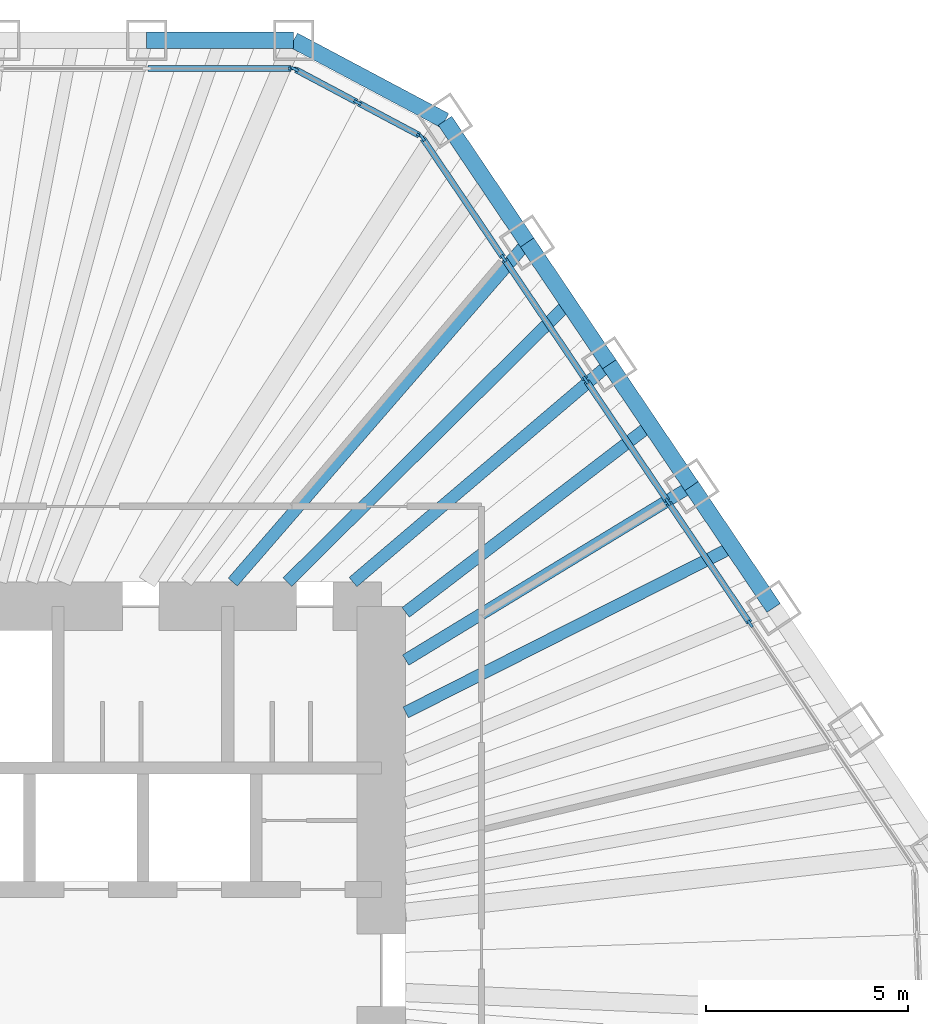
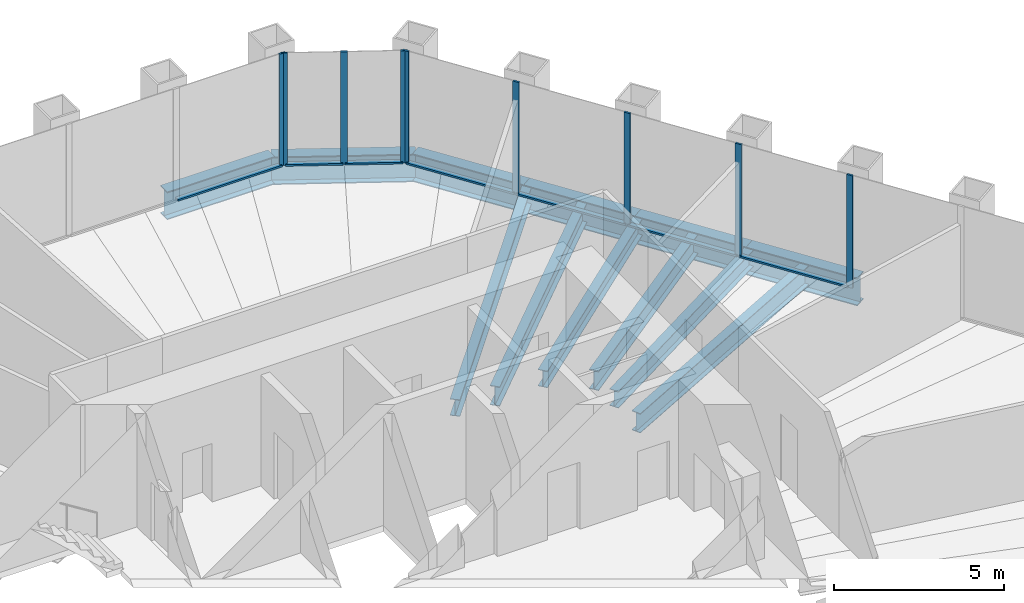
# One storey, part 7 of 14: 16 members, 12 beams, 3 elements without a shape of their own.
"""IFC4 building model written with IfcOpenShell, lengths in metres."""

from ifc_helpers import new_model, si_unit, direction, frame, origin, origin_2d, place, context, subcontext, project, spatial, rectangle, i_section, extrude, material, material_profile, profile_set, type_object, element, aggregate, save


model = new_model("IFC4")

# Units and contexts
model_context = context("Model", 3, precision=1e-05, world=origin(), true_north=direction((0.0, 1.0)))
body_context = subcontext(model_context, "Body", "Model", "MODEL_VIEW")
ifc_project = project(units=[si_unit("LENGTHUNIT", "METRE"), si_unit("AREAUNIT", "SQUARE_METRE"), si_unit("VOLUMEUNIT", "CUBIC_METRE"), si_unit("PLANEANGLEUNIT", "RADIAN"), si_unit("MASSUNIT", "GRAM", prefix="KILO")], contexts=[model_context])

# Site, building, storey
site_placement = place(None, origin())
site = spatial("IfcSite", under=ifc_project, at=site_placement, CompositionType="ELEMENT")
building_placement = place(site_placement, origin())
building = spatial("IfcBuilding", under=site, at=building_placement, Name="Qingtian Harvest Tower", CompositionType="ELEMENT")
storey_placement = place(building_placement, frame((0.0, 0.0, 239.199951171875)))
storey = spatial("IfcBuildingStorey", under=building, at=storey_placement, Name="L52", CompositionType="ELEMENT", Elevation=239.199951171875)

# Beams
ifc_material_1 = material(Name="Steel SN490B", Category="steel")
ifc_material_profile_1 = material_profile(ifc_material_1, i_section(OverallWidth=0.300048828125, OverallDepth=0.60009765625, WebThickness=0.011962890625, FlangeThickness=0.02001953125, at=origin_2d()), Name="H600x300x12x20")
ifc_profile_set_1 = profile_set([ifc_material_profile_1], Name="Steel SN490B")
beam_type_1 = type_object("IfcBeamType", Name="Floor beam FB3 H600x300x12x20", PredefinedType="BEAM", material=ifc_profile_set_1)
beam_1_placement = place(storey_placement, frame((15.603271484375, 17.998046875, -0.469970703125), z_axis=(-0.655048444444, -0.755586881458, 0.0), x_axis=(0.755586881458, -0.655048444444, 0.0)))
element("IfcBeam", 1, at=beam_1_placement, inside=storey, type_object=beam_type_1, Name="Floor beam FB3 NE1", PredefinedType="BEAM", context=body_context, shape_type="SweptSolid", body=[
    extrude(i_section(OverallWidth=0.300048828125, OverallDepth=0.60009765625, WebThickness=0.011962890625, FlangeThickness=0.02001953125, at=origin_2d()), origin(), (0.0, 0.0, 1.0), 11.114501953125),
])
beam_2_placement = place(storey_placement, frame((17.635009765625, 14.985595703125, -0.469970703125), z_axis=(-0.762028398305, -0.647543604846, 0.0), x_axis=(0.647543604846, -0.762028398305, 0.0)))
element("IfcBeam", 2, at=beam_2_placement, inside=storey, type_object=beam_type_1, Name="Floor beam FB3 NE2", PredefinedType="BEAM", context=body_context, shape_type="SweptSolid", body=[
    extrude(i_section(OverallWidth=0.300048828125, OverallDepth=0.60009765625, WebThickness=0.011962890625, FlangeThickness=0.02001953125, at=origin_2d()), origin(), (0.0, 0.0, 1.0), 8.31689453125),
])
beam_3_placement = place(storey_placement, frame((19.6669921875, 11.97314453125, -0.469970703125), z_axis=(-0.854163224424, -0.520004986554, 0.0), x_axis=(0.520004986554, -0.854163224424, 0.0)))
element("IfcBeam", 3, at=beam_3_placement, inside=storey, type_object=beam_type_1, Name="Floor beam FB3 NE3", PredefinedType="BEAM", context=body_context, shape_type="SweptSolid", body=[
    extrude(i_section(OverallWidth=0.300048828125, OverallDepth=0.60009765625, WebThickness=0.011962890625, FlangeThickness=0.02001953125, at=origin_2d()), origin(), (0.0, 0.0, 1.0), 8.2734375),
])
ifc_material_2 = material(Name="Steel SN490B", Category="steel")
ifc_material_profile_2 = material_profile(ifc_material_2, i_section(OverallWidth=0.300048828125, OverallDepth=0.699951171875, WebThickness=0.012939453125, FlangeThickness=0.02392578125, at=origin_2d()), Name="H700x300x13x24")
ifc_profile_set_2 = profile_set([ifc_material_profile_2], Name="Steel SN490B")
beam_type_2 = type_object("IfcBeamType", Name="Floor joist J2 H700x300x13x24", PredefinedType="JOIST", material=ifc_profile_set_2)
beam_4_placement = place(storey_placement, frame((16.619140625, 16.49169921875, -0.52001953125), z_axis=(-0.709833839663, -0.704369164622, 0.0), x_axis=(0.704369164622, -0.709833839663, 0.0)))
element("IfcBeam", 4, at=beam_4_placement, inside=storey, type_object=beam_type_2, Name="Floor joist J2 NE1", PredefinedType="JOIST", context=body_context, shape_type="SweptSolid", body=[
    extrude(i_section(OverallWidth=0.300048828125, OverallDepth=0.699951171875, WebThickness=0.012939453125, FlangeThickness=0.02392578125, at=origin_2d()), origin(), (0.0, 0.0, 1.0), 9.7841796875),
])
beam_5_placement = place(storey_placement, frame((18.651123046875, 13.4794921875, -0.52001953125), z_axis=(-0.794222288871, -0.607627316585, 0.0), x_axis=(0.607627316585, -0.794222288871, 0.0)))
element("IfcBeam", 5, at=beam_5_placement, inside=storey, type_object=beam_type_2, Name="Floor joist J2 NE2", PredefinedType="JOIST", context=body_context, shape_type="SweptSolid", body=[
    extrude(i_section(OverallWidth=0.300048828125, OverallDepth=0.699951171875, WebThickness=0.012939453125, FlangeThickness=0.02392578125, at=origin_2d()), origin(), (0.0, 0.0, 1.0), 7.618896484375),
])
beam_6_placement = place(storey_placement, frame((20.682861328125, 10.467041015625, -0.52001953125), z_axis=(-0.892244443914, -0.451552712652, 0.0), x_axis=(0.451552712652, -0.892244443914, 0.0)))
element("IfcBeam", 6, at=beam_6_placement, inside=storey, type_object=beam_type_2, Name="Floor joist J2 NE3", PredefinedType="JOIST", context=body_context, shape_type="SweptSolid", body=[
    extrude(i_section(OverallWidth=0.300048828125, OverallDepth=0.699951171875, WebThickness=0.012939453125, FlangeThickness=0.02392578125, at=origin_2d()), origin(), (0.0, 0.0, 1.0), 9.058837890625),
])

# Curtain wall, member
ifc_material_3 = material(Name="Bronze-anodised aluminium curtain wall", Category="aluminium")
curtain_wall_type = type_object("IfcCurtainWallType", Name="Curtain wall CW4 office", PredefinedType="USERDEFINED", material=ifc_material_3)
curtain_wall_1_placement = place(storey_placement, origin())
curtain_wall_1 = element("IfcCurtainWall", 7, at=curtain_wall_1_placement, inside=storey, type_object=curtain_wall_type, Name="Curtain wall CW4 L52 N0-5", ObjectType="RECESSED CURTAIN WALL", PredefinedType="USERDEFINED")
ifc_material_4 = material(Name="Bronze-anodised aluminium mullion", Category="aluminium")
ifc_material_profile_3 = material_profile(ifc_material_4, rectangle(XDim=0.06494140625, YDim=0.199951171875, at=origin_2d()), Name="AL 65x200")
ifc_profile_set_3 = profile_set([ifc_material_profile_3], Name="Bronze-anodised aluminium mullion")
member_type_1 = type_object("IfcMemberType", Name="Mullion CWM 65x200", PredefinedType="MULLION", material=ifc_profile_set_3)
member_1_placement = place(storey_placement, frame((9.796875, 22.300048828125, 0.0), z_axis=(0.0, 0.0, 1.0), x_axis=(0.0, 1.0, 0.0)))
member_1 = element("IfcMember", 8, at=member_1_placement, type_object=member_type_1, Name="CW4 mullion 7", PredefinedType="MULLION", context=body_context, shape_type="SweptSolid", body=[
    extrude(rectangle(XDim=0.06494140625, YDim=0.199951171875, at=origin_2d()), origin(), (0.0, 0.0, 1.0), 4.030029296875),
])

# Curtain wall, members
curtain_wall_2_placement = place(storey_placement, origin())
curtain_wall_2 = element("IfcCurtainWall", 9, at=curtain_wall_2_placement, inside=storey, type_object=curtain_wall_type, Name="Curtain wall CW4 L52 NC", ObjectType="RECESSED CURTAIN WALL", PredefinedType="USERDEFINED")
member_2_placement = place(storey_placement, frame((9.85791015625, 22.28466796875, 0.0), z_axis=(0.0, 0.0, 1.0), x_axis=(0.469471562786, 0.882947592859, 0.0)))
member_2 = element("IfcMember", 10, at=member_2_placement, type_object=member_type_1, Name="CW4 mullion 1", PredefinedType="MULLION", context=body_context, shape_type="SweptSolid", body=[
    extrude(rectangle(XDim=0.06494140625, YDim=0.199951171875, at=origin_2d()), origin(), (0.0, 0.0, 1.0), 4.030029296875),
])
member_3_placement = place(storey_placement, frame((11.41015625, 21.45947265625, 0.0), z_axis=(0.0, 0.0, 1.0), x_axis=(0.469471562786, 0.882947592859, 0.0)))
member_3 = element("IfcMember", 11, at=member_3_placement, type_object=member_type_1, Name="CW4 mullion 2", PredefinedType="MULLION", context=body_context, shape_type="SweptSolid", body=[
    extrude(rectangle(XDim=0.06494140625, YDim=0.199951171875, at=origin_2d()), origin(), (0.0, 0.0, 1.0), 4.030029296875),
])
member_4_placement = place(storey_placement, frame((12.96240234375, 20.634033203125, 0.0), z_axis=(0.0, 0.0, 1.0), x_axis=(0.469471562786, 0.882947592859, 0.0)))
member_4 = element("IfcMember", 12, at=member_4_placement, type_object=member_type_1, Name="CW4 mullion 3", PredefinedType="MULLION", context=body_context, shape_type="SweptSolid", body=[
    extrude(rectangle(XDim=0.06494140625, YDim=0.199951171875, at=origin_2d()), origin(), (0.0, 0.0, 1.0), 4.030029296875),
])

curtain_wall_3_placement = place(storey_placement, origin())
curtain_wall_3 = element("IfcCurtainWall", 13, at=curtain_wall_3_placement, inside=storey, type_object=curtain_wall_type, Name="Curtain wall CW4 L52 NE0-5", ObjectType="RECESSED CURTAIN WALL", PredefinedType="USERDEFINED")
member_5_placement = place(storey_placement, frame((13.00927734375, 20.592041015625, 0.0), z_axis=(0.0, 0.0, 1.0), x_axis=(0.829037572555, 0.559192903471, 0.0)))
member_5 = element("IfcMember", 14, at=member_5_placement, type_object=member_type_1, Name="CW4 mullion 1", PredefinedType="MULLION", context=body_context, shape_type="SweptSolid", body=[
    extrude(rectangle(XDim=0.06494140625, YDim=0.199951171875, at=origin_2d()), origin(), (0.0, 0.0, 1.0), 4.030029296875),
])
member_6_placement = place(storey_placement, frame((15.02294921875, 17.6064453125, 0.0), z_axis=(0.0, 0.0, 1.0), x_axis=(0.829037572555, 0.559192903471, 0.0)))
member_6 = element("IfcMember", 15, at=member_6_placement, type_object=member_type_1, Name="CW4 mullion 2", PredefinedType="MULLION", context=body_context, shape_type="SweptSolid", body=[
    extrude(rectangle(XDim=0.06494140625, YDim=0.199951171875, at=origin_2d()), origin(), (0.0, 0.0, 1.0), 4.030029296875),
])
member_7_placement = place(storey_placement, frame((17.0546875, 14.59423828125, 0.0), z_axis=(0.0, 0.0, 1.0), x_axis=(0.829037572555, 0.559192903471, 0.0)))
member_7 = element("IfcMember", 16, at=member_7_placement, type_object=member_type_1, Name="CW4 mullion 3", PredefinedType="MULLION", context=body_context, shape_type="SweptSolid", body=[
    extrude(rectangle(XDim=0.06494140625, YDim=0.199951171875, at=origin_2d()), origin(), (0.0, 0.0, 1.0), 4.030029296875),
])
member_8_placement = place(storey_placement, frame((19.086669921875, 11.581787109375, 0.0), z_axis=(0.0, 0.0, 1.0), x_axis=(0.829037572555, 0.559192903471, 0.0)))
member_8 = element("IfcMember", 17, at=member_8_placement, type_object=member_type_1, Name="CW4 mullion 4", PredefinedType="MULLION", context=body_context, shape_type="SweptSolid", body=[
    extrude(rectangle(XDim=0.06494140625, YDim=0.199951171875, at=origin_2d()), origin(), (0.0, 0.0, 1.0), 4.030029296875),
])
member_9_placement = place(storey_placement, frame((21.118408203125, 8.569580078125, 0.0), z_axis=(0.0, 0.0, 1.0), x_axis=(0.829037572555, 0.559192903471, 0.0)))
member_9 = element("IfcMember", 18, at=member_9_placement, type_object=member_type_1, Name="CW4 mullion 5", PredefinedType="MULLION", context=body_context, shape_type="SweptSolid", body=[
    extrude(rectangle(XDim=0.06494140625, YDim=0.199951171875, at=origin_2d()), origin(), (0.0, 0.0, 1.0), 4.030029296875),
])

# Beams
ifc_material_5 = material(Name="Steel SN490B", Category="steel")
ifc_material_profile_4 = material_profile(ifc_material_5, i_section(OverallWidth=0.39990234375, OverallDepth=1.0, WebThickness=0.01904296875, FlangeThickness=0.035888671875, at=origin_2d()), Name="H1000x400x19x36")
ifc_profile_set_4 = profile_set([ifc_material_profile_4], Name="Steel SN490B")
beam_type_3 = type_object("IfcBeamType", Name="Spandrel beam SB3 H1000x400x19x36", PredefinedType="SPANDREL", material=ifc_profile_set_4)
beam_7_placement = place(storey_placement, frame((6.19580078125, 23.0, -0.5), z_axis=(1.0, 0.0, 0.0), x_axis=(0.0, 1.0, 0.0)))
element("IfcBeam", 19, at=beam_7_placement, inside=storey, type_object=beam_type_3, Name="Spandrel SB3 N5", PredefinedType="SPANDREL", context=body_context, shape_type="SweptSolid", body=[
    extrude(i_section(OverallWidth=0.39990234375, OverallDepth=1.0, WebThickness=0.01904296875, FlangeThickness=0.035888671875, at=origin_2d()), origin(), (0.0, 0.0, 1.0), 3.633544921875),
])
beam_8_placement = place(storey_placement, frame((9.829345703125, 23.0, -0.5), z_axis=(0.882935902835, -0.469493547863, 0.0), x_axis=(0.469493547863, 0.882935902835, 0.0)))
element("IfcBeam", 20, at=beam_8_placement, inside=storey, type_object=beam_type_3, Name="Spandrel SB3 NC", PredefinedType="SPANDREL", context=body_context, shape_type="SweptSolid", body=[
    extrude(i_section(OverallWidth=0.39990234375, OverallDepth=1.0, WebThickness=0.01904296875, FlangeThickness=0.035888671875, at=origin_2d()), origin(), (0.0, 0.0, 1.0), 4.238037109375),
])
for number, where, z_axis, x_axis, name in (
    (21, (13.5712890625, 21.01025390625, -0.5), (0.559235108412, -0.829009103399, 0.0), (0.829009103399, 0.559235108412, 0.0), "Spandrel SB3 NE0"),
    (22, (15.603271484375, 17.998046875, -0.5), (0.55915777886, -0.829061263321, 0.0), (0.829061263321, 0.55915777886, 0.0), "Spandrel SB3 NE1"),
):
    element("IfcBeam", number, at=place(storey_placement, frame(where, z_axis=z_axis, x_axis=x_axis)), inside=storey, type_object=beam_type_3, Name=name, PredefinedType="SPANDREL", context=body_context, shape_type="SweptSolid", body=[
        extrude(i_section(OverallWidth=0.39990234375, OverallDepth=1.0, WebThickness=0.01904296875, FlangeThickness=0.035888671875, at=origin_2d()), origin(), (0.0, 0.0, 1.0), 3.633544921875),
    ])
beam_9_placement = place(storey_placement, frame((17.635009765625, 14.985595703125, -0.5), z_axis=(0.55920395902, -0.829030115385, 0.0), x_axis=(0.829030115385, 0.55920395902, 0.0)))
element("IfcBeam", 23, at=beam_9_placement, inside=storey, type_object=beam_type_3, Name="Spandrel SB3 NE2", PredefinedType="SPANDREL", context=body_context, shape_type="SweptSolid", body=[
    extrude(i_section(OverallWidth=0.39990234375, OverallDepth=1.0, WebThickness=0.01904296875, FlangeThickness=0.035888671875, at=origin_2d()), origin(), (0.0, 0.0, 1.0), 3.6337890625),
])
beam_10_placement = place(storey_placement, frame((19.6669921875, 11.97314453125, -0.5), z_axis=(0.559188928021, -0.829040254016, 0.0), x_axis=(0.829040254016, 0.559188928021, 0.0)))
element("IfcBeam", 24, at=beam_10_placement, inside=storey, type_object=beam_type_3, Name="Spandrel SB3 NE3", PredefinedType="SPANDREL", context=body_context, shape_type="SweptSolid", body=[
    extrude(i_section(OverallWidth=0.39990234375, OverallDepth=1.0, WebThickness=0.01904296875, FlangeThickness=0.035888671875, at=origin_2d()), origin(), (0.0, 0.0, 1.0), 3.63330078125),
])

# Member
ifc_material_6 = material(Name="Bronze-anodised aluminium transom", Category="aluminium")
ifc_material_profile_5 = material_profile(ifc_material_6, rectangle(XDim=0.14990234375, YDim=0.06494140625, at=origin_2d()), Name="AL 65x150")
ifc_profile_set_5 = profile_set([ifc_material_profile_5], Name="Bronze-anodised aluminium transom")
member_type_2 = type_object("IfcMemberType", Name="Transom CWT 65x150", PredefinedType="USERDEFINED", material=ifc_profile_set_5)
member_10_placement = place(storey_placement, frame((6.228271484375, 22.300048828125, 0.032470703125), z_axis=(1.0, 0.0, 0.0), x_axis=(0.0, 1.0, 0.0)))
member_10 = element("IfcMember", 25, at=member_10_placement, type_object=member_type_2, Name="CW4 transom 6.1", ObjectType="TRANSOM", PredefinedType="USERDEFINED", context=body_context, shape_type="SweptSolid", body=[
    extrude(rectangle(XDim=0.14990234375, YDim=0.06494140625, at=origin_2d()), origin(), (0.0, 0.0, 1.0), 3.5361328125),
])

aggregate(curtain_wall_1, [member_1, member_10])

member_11_placement = place(storey_placement, frame((9.88671875, 22.26953125, 0.032470703125), z_axis=(0.882927080927, -0.469510138086, 0.0), x_axis=(0.469510138086, 0.882927080927, 0.0)))
member_11 = element("IfcMember", 26, at=member_11_placement, type_object=member_type_2, Name="CW4 transom 1.1", ObjectType="TRANSOM", PredefinedType="USERDEFINED", context=body_context, shape_type="SweptSolid", body=[
    extrude(rectangle(XDim=0.14990234375, YDim=0.06494140625, at=origin_2d()), origin(), (0.0, 0.0, 1.0), 1.693115234375),
])

member_12_placement = place(storey_placement, frame((11.43896484375, 21.444091796875, 0.032470703125), z_axis=(0.882955074232, -0.469457492098, 0.0), x_axis=(0.469457492098, 0.882955074232, 0.0)))
member_12 = element("IfcMember", 27, at=member_12_placement, type_object=member_type_2, Name="CW4 transom 2.1", ObjectType="TRANSOM", PredefinedType="USERDEFINED", context=body_context, shape_type="SweptSolid", body=[
    extrude(rectangle(XDim=0.14990234375, YDim=0.06494140625, at=origin_2d()), origin(), (0.0, 0.0, 1.0), 1.69287109375),
])

aggregate(curtain_wall_2, [member_2, member_3, member_4, member_11, member_12])

member_13_placement = place(storey_placement, frame((13.02734375, 20.56494140625, 0.032470703125), z_axis=(0.559201266891, -0.829031931295, 0.0), x_axis=(0.829031931295, 0.559201266891, 0.0)))
member_13 = element("IfcMember", 28, at=member_13_placement, type_object=member_type_2, Name="CW4 transom 1.1", ObjectType="TRANSOM", PredefinedType="USERDEFINED", context=body_context, shape_type="SweptSolid", body=[
    extrude(rectangle(XDim=0.14990234375, YDim=0.06494140625, at=origin_2d()), origin(), (0.0, 0.0, 1.0), 3.535888671875),
])

member_14_placement = place(storey_placement, frame((15.041015625, 17.57958984375, 0.032470703125), z_axis=(0.559207281901, -0.829027874, 0.0), x_axis=(0.829027874, 0.559207281901, 0.0)))
member_14 = element("IfcMember", 29, at=member_14_placement, type_object=member_type_2, Name="CW4 transom 2.1", ObjectType="TRANSOM", PredefinedType="USERDEFINED", context=body_context, shape_type="SweptSolid", body=[
    extrude(rectangle(XDim=0.14990234375, YDim=0.06494140625, at=origin_2d()), origin(), (0.0, 0.0, 1.0), 3.568603515625),
])

member_15_placement = place(storey_placement, frame((17.072998046875, 14.567138671875, 0.032470703125), z_axis=(0.559191977147, -0.829038197368, 0.0), x_axis=(0.829038197368, 0.559191977147, 0.0)))
member_15 = element("IfcMember", 30, at=member_15_placement, type_object=member_type_2, Name="CW4 transom 3.1", ObjectType="TRANSOM", PredefinedType="USERDEFINED", context=body_context, shape_type="SweptSolid", body=[
    extrude(rectangle(XDim=0.14990234375, YDim=0.06494140625, at=origin_2d()), origin(), (0.0, 0.0, 1.0), 3.568359375),
])

member_16_placement = place(storey_placement, frame((19.104736328125, 11.554931640625, 0.032470703125), z_axis=(0.559207281901, -0.829027874, 0.0), x_axis=(0.829027874, 0.559207281901, 0.0)))
member_16 = element("IfcMember", 31, at=member_16_placement, type_object=member_type_2, Name="CW4 transom 4.1", ObjectType="TRANSOM", PredefinedType="USERDEFINED", context=body_context, shape_type="SweptSolid", body=[
    extrude(rectangle(XDim=0.14990234375, YDim=0.06494140625, at=origin_2d()), origin(), (0.0, 0.0, 1.0), 3.568603515625),
])

aggregate(curtain_wall_3, [member_5, member_6, member_7, member_8, member_9, member_13, member_14, member_15, member_16])

save(model, "model.ifc")
